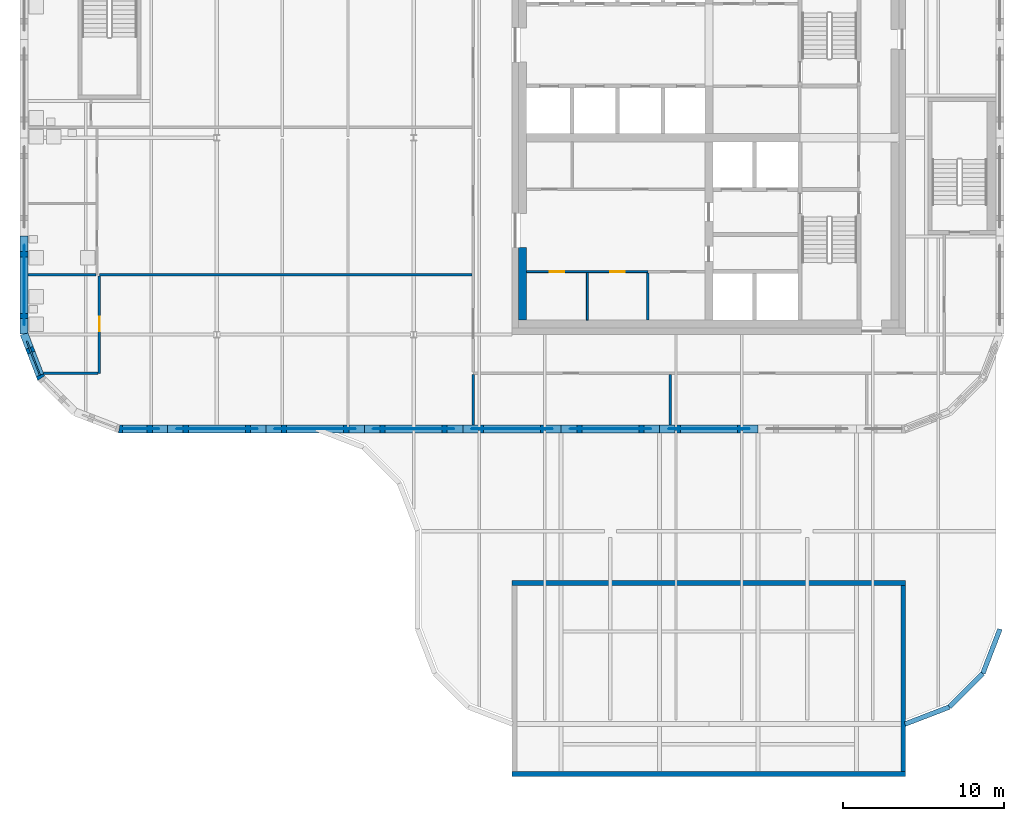
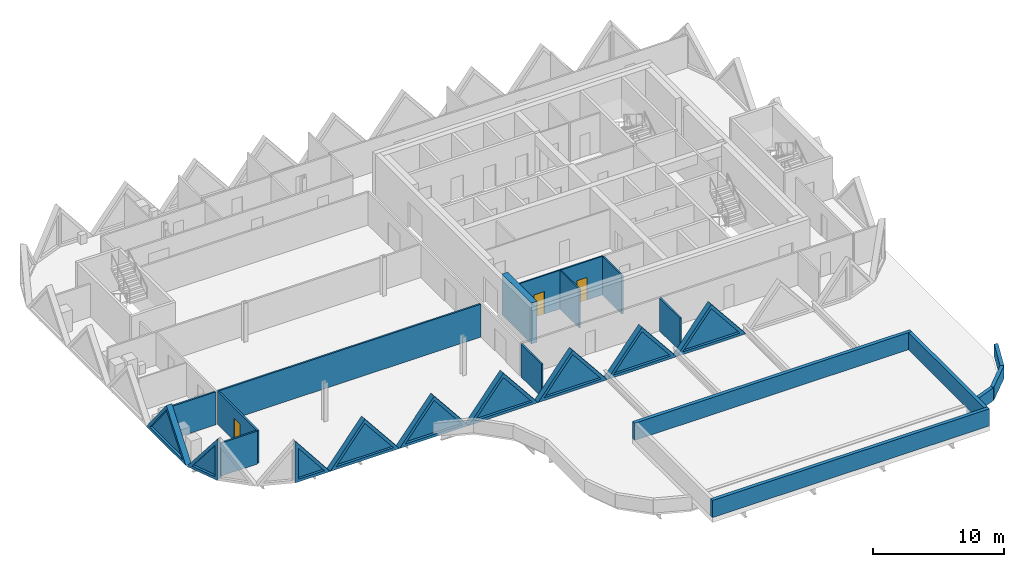
# One storey, part 4 of 12: 25 walls, 9 plates, 3 doors, 12 openings.
"""IFC4 building model written with IfcOpenShell, lengths in metres."""

from ifc_helpers import new_model, si_unit, direction, frame, frame_2d, origin, place, context, subcontext, project, spatial, polyline, rectangle, outline, extrude, faceted_brep, source, transform, mapped, material, layer, layer_set, type_object, element, fill, save


model = new_model("IFC4")

# Units and contexts
model_context = context("Model", 3, precision=1e-05, world=origin(), true_north=direction((0.0, 1.0)))
body_context = subcontext(model_context, "Body", "Model", "MODEL_VIEW")
ifc_project = project(units=[si_unit("LENGTHUNIT", "METRE"), si_unit("AREAUNIT", "SQUARE_METRE"), si_unit("VOLUMEUNIT", "CUBIC_METRE"), si_unit("PLANEANGLEUNIT", "RADIAN"), si_unit("MASSUNIT", "GRAM", prefix="KILO")], contexts=[model_context])

# Site, building, storey
site_placement = place(None, origin())
site = spatial("IfcSite", under=ifc_project, at=site_placement, CompositionType="ELEMENT")
building_placement = place(site_placement, origin())
building = spatial("IfcBuilding", under=site, at=building_placement, Name="Tessera Gate Towers", CompositionType="ELEMENT")
storey_placement = place(building_placement, frame((0.0, 0.0, 236.89990234375)))
storey = spatial("IfcBuildingStorey", under=building, at=storey_placement, Name="L59", CompositionType="ELEMENT", Elevation=236.89990234375)

# Wall, openings, doors
ifc_material_1 = material(Name="Gypsum board on steel studs", Category="steel")
ifc_layer_1 = layer(ifc_material_1, 0.1201171875)
ifc_layer_set_1 = layer_set([ifc_layer_1], Name="CORE PARTITION 120")
wall_type_1 = type_object("IfcWallType", Name="CORE PARTITION 120", PredefinedType="PARTITIONING", material=ifc_layer_set_1)
wall_1_placement = place(storey_placement, frame((38.925048828125, 28.300048828125, 0.0), z_axis=(0.0, 0.0, 1.0), x_axis=(-1.0, 0.0, 0.0)))
wall_1 = element("IfcWall", 1, at=wall_1_placement, inside=storey, type_object=wall_type_1, Name="L59 core partition", PredefinedType="PARTITIONING", context=body_context, shape_type="SweptSolid", body=[
    extrude(rectangle(XDim=7.525146484375, YDim=0.1201171875, at=frame_2d((3.7626953125, 0.0))), origin(), (0.0, 0.0, 1.0), 3.60009765625),
])
shared_shape_1 = source(origin(), body_context, "Body", "SweptSolid", [
    extrude(rectangle(XDim=0.89990234375, YDim=2.10009765625, at=frame_2d((0.449951171875, 1.050048828125))), frame((0.0, 0.070068359375, 0.0), z_axis=(0.0, -1.0, 0.0), x_axis=(1.0, 0.0, 0.0)), (0.0, 0.0, 1.0), 0.14013671875),
])
opening_1_placement = place(wall_1_placement, frame((5.1875, 0.0, 0.0)))
opening_1 = element("IfcOpeningElement", 2, at=opening_1_placement, cuts=wall_1, Name="Opening RD-T1-36-09", PredefinedType="OPENING", context=body_context, shape_type="MappedRepresentation", body=[
    mapped(shared_shape_1, transform((0.0, 0.0, 0.0), scale=1.0)),
])
opening_2_placement = place(wall_1_placement, frame((1.425048828125, 0.0, 0.0)))
opening_2 = element("IfcOpeningElement", 3, at=opening_2_placement, cuts=wall_1, Name="Opening RD-T1-36-10", PredefinedType="OPENING", context=body_context, shape_type="MappedRepresentation", body=[
    mapped(shared_shape_1, transform((0.0, 0.0, 0.0), scale=1.0)),
])
ifc_material_2 = material(Name="Hollow steel fire door", Category="steel")
door_type_1 = type_object("IfcDoorType", Name="CORE DOOR RD 900x2100", OperationType="NOTDEFINED", PredefinedType="DOOR", material=ifc_material_2)
shared_shape_2 = source(origin(), body_context, "Body", "SweptSolid", [
    extrude(rectangle(XDim=0.89990234375, YDim=2.10009765625, at=frame_2d((0.449951171875, 1.050048828125))), frame((0.0, 0.02490234375, 0.0), z_axis=(0.0, -1.0, 0.0), x_axis=(1.0, 0.0, 0.0)), (0.0, 0.0, 1.0), 0.050048828125),
])
door_1_placement = place(opening_1_placement, origin())
door_1 = element("IfcDoor", 4, at=door_1_placement, inside=storey, type_object=door_type_1, Name="Core room door", OperationType="SINGLE_SWING_RIGHT", OverallHeight=2.10009765625, OverallWidth=0.89990234375, PredefinedType="DOOR", context=body_context, shape_type="MappedRepresentation", body=[
    mapped(shared_shape_2, transform((0.0, 0.0, 0.0), scale=1.0)),
])
fill(opening_1, door_1)
door_2_placement = place(opening_2_placement, origin())
door_2 = element("IfcDoor", 5, at=door_2_placement, inside=storey, type_object=door_type_1, Name="Core room door", OperationType="SINGLE_SWING_LEFT", OverallHeight=2.10009765625, OverallWidth=0.89990234375, PredefinedType="DOOR", context=body_context, shape_type="MappedRepresentation", body=[
    mapped(shared_shape_2, transform((0.0, 0.0, 0.0), scale=1.0)),
])
fill(opening_2, door_2)

# Walls
wall_2_placement = place(storey_placement, frame((35.175048828125, 25.300048828125, 0.0), z_axis=(0.0, 0.0, 1.0), x_axis=(0.0, 1.0, 0.0)))
element("IfcWall", 6, at=wall_2_placement, inside=storey, type_object=wall_type_1, Name="L59 core partition", PredefinedType="PARTITIONING", context=body_context, shape_type="SweptSolid", body=[
    extrude(rectangle(XDim=2.93994140625, YDim=0.1201171875, at=frame_2d((1.469970703125, 0.0))), origin(), (0.0, 0.0, 1.0), 3.60009765625),
])
ifc_material_3 = material(Name="Concrete C40/50", Category="concrete")
ifc_layer_2 = layer(ifc_material_3, 0.5)
ifc_layer_set_2 = layer_set([ifc_layer_2], Name="CORE WALL THICKENING 500")
wall_type_2 = type_object("IfcWallType", Name="CORE WALL THICKENING 500", PredefinedType="SOLIDWALL", material=ifc_layer_set_2)
wall_3_placement = place(storey_placement, frame((31.14990234375, 25.300048828125, 0.0), z_axis=(0.0, 0.0, 1.0), x_axis=(0.0, 1.0, 0.0)))
element("IfcWall", 7, at=wall_3_placement, inside=storey, type_object=wall_type_2, Name="Core wall thickening W L59", PredefinedType="SOLIDWALL", context=body_context, shape_type="SweptSolid", body=[
    extrude(rectangle(XDim=4.5, YDim=0.5, at=frame_2d((2.25, 0.0))), origin(), (0.0, 0.0, 1.0), 3.800048828125),
])
ifc_material_4 = material(Name="Concrete C40/50", Category="concrete")
ifc_layer_3 = layer(ifc_material_4, 0.300048828125)
ifc_layer_set_3 = layer_set([ifc_layer_3], Name="POOL WALL 300 C40/50")
wall_type_3 = type_object("IfcWallType", Name="POOL WALL 300 C40/50", PredefinedType="SOLIDWALL", material=ifc_layer_set_3)
for number, where, z_axis, x_axis, name in (
    (8, (30.5, -2.85009765625, 1.13818359375), (0.0, 0.0, 1.0), (1.0, 0.0, 0.0), "T1-POOL-WALL-S"),
    (9, (30.5, 9.0, 1.13818359375), (0.0, 0.0, 1.0), (1.0, 0.0, 0.0), "T1-POOL-WALL-N"),
):
    element("IfcWall", number, at=place(storey_placement, frame(where, z_axis=z_axis, x_axis=x_axis)), inside=storey, type_object=wall_type_3, Name=name, PredefinedType="SOLIDWALL", context=body_context, shape_type="SweptSolid", body=[
        extrude(rectangle(XDim=24.39990234375, YDim=0.300048828125, at=frame_2d((12.199951171875, 0.0))), origin(), (0.0, 0.0, 1.0), 1.599853515625),
    ])
wall_4_placement = place(storey_placement, frame((54.75, -2.699951171875, 1.13818359375), z_axis=(0.0, 0.0, 1.0), x_axis=(0.0, 1.0, 0.0)))
element("IfcWall", 10, at=wall_4_placement, inside=storey, type_object=wall_type_3, Name="T1-POOL-WALL-E", PredefinedType="SOLIDWALL", context=body_context, shape_type="SweptSolid", body=[
    extrude(rectangle(XDim=11.550048828125, YDim=0.300048828125, at=frame_2d((5.77490234375, 0.0))), origin(), (0.0, 0.0, 1.0), 1.599853515625),
])
ifc_material_5 = material(Name="Gypsum board on steel studs", Category="steel")
ifc_layer_4 = layer(ifc_material_5, 0.14990234375)
ifc_layer_set_4 = layer_set([ifc_layer_4], Name="SERVICE ROOM WALL 150")
wall_type_4 = type_object("IfcWallType", Name="SERVICE ROOM WALL 150", PredefinedType="PARTITIONING", material=ifc_layer_set_4)
wall_5_placement = place(storey_placement, frame((38.925048828125, 25.300048828125, 0.0), z_axis=(0.0, 0.0, 1.0), x_axis=(0.0, 1.0, 0.0)))
element("IfcWall", 11, at=wall_5_placement, inside=storey, type_object=wall_type_4, Name="L59 service room wall", PredefinedType="PARTITIONING", context=body_context, shape_type="SweptSolid", body=[
    extrude(rectangle(XDim=2.925048828125, YDim=0.14990234375, at=frame_2d((1.46240234375, 0.0))), origin(), (0.0, 0.0, 1.0), 3.60009765625),
])
ifc_material_6 = material(Name="Gypsum board on steel studs, mineral wool", Category="steel")
ifc_layer_5 = layer(ifc_material_6, 0.14990234375)
ifc_layer_set_5 = layer_set([ifc_layer_5], Name="TENANCY WALL 150")
wall_type_5 = type_object("IfcWallType", Name="TENANCY WALL 150", PredefinedType="PARTITIONING", material=ifc_layer_set_5)
for number, where, z_axis, x_axis, name in (
    (12, (28.10009765625, 18.800048828125, 0.0), (0.0, 0.0, 1.0), (0.0, 1.0, 0.0), "T1-L59-PW-001"),
    (13, (40.300048828125, 18.800048828125, 0.0), (0.0, 0.0, 1.0), (0.0, 1.0, 0.0), "T1-L59-PW-002"),
):
    element("IfcWall", number, at=place(storey_placement, frame(where, z_axis=z_axis, x_axis=x_axis)), inside=storey, type_object=wall_type_5, Name=name, PredefinedType="PARTITIONING", context=body_context, shape_type="SweptSolid", body=[
        extrude(rectangle(XDim=3.1240234375, YDim=0.14990234375, at=frame_2d((1.56201171875, 0.0))), origin(), (0.0, 0.0, 1.0), 3.067138671875),
    ])
wall_6_placement = place(storey_placement, frame((1.461669921875, 22.0, 0.0), z_axis=(0.0, 0.0, 1.0), x_axis=(1.0, 0.0, 0.0)))
element("IfcWall", 14, at=wall_6_placement, inside=storey, type_object=wall_type_5, Name="T1-L59-PW-004", PredefinedType="PARTITIONING", context=body_context, shape_type="SweptSolid", body=[
    extrude(rectangle(XDim=3.387451171875, YDim=0.14990234375, at=frame_2d((1.69384765625, 0.0))), origin(), (0.0, 0.0, 1.0), 3.067138671875),
])

# Wall, opening, door
wall_7_placement = place(storey_placement, frame((4.925048828125, 22.0, 0.0), z_axis=(0.0, 0.0, 1.0), x_axis=(0.0, 1.0, 0.0)))
wall_7 = element("IfcWall", 15, at=wall_7_placement, inside=storey, type_object=wall_type_5, Name="T1-L59-PW-005", PredefinedType="PARTITIONING", context=body_context, shape_type="SweptSolid", body=[
    extrude(rectangle(XDim=6.02392578125, YDim=0.14990234375, at=frame_2d((3.011962890625, 0.0))), origin(), (0.0, 0.0, 1.0), 3.067138671875),
])
shared_shape_3 = source(origin(), body_context, "Body", "SweptSolid", [
    extrude(rectangle(XDim=0.89990234375, YDim=2.10009765625, at=frame_2d((0.449951171875, 1.050048828125))), frame((0.0, 0.0849609375, 0.0), z_axis=(0.0, -1.0, 0.0), x_axis=(1.0, 0.0, 0.0)), (0.0, 0.0, 1.0), 0.169921875),
])
opening_3_placement = place(wall_7_placement, frame((2.60009765625, 0.0, 0.0)))
opening_3 = element("IfcOpeningElement", 16, at=opening_3_placement, cuts=wall_7, Name="Opening D190-A36-08", PredefinedType="OPENING", context=body_context, shape_type="MappedRepresentation", body=[
    mapped(shared_shape_3, transform((0.0, 0.0, 0.0), scale=1.0)),
])
ifc_material_7 = material(Name="Timber door leaf in steel frame", Category="steel")
door_type_2 = type_object("IfcDoorType", Name="INTERNAL DOOR 900 NOT RATED", OperationType="NOTDEFINED", PredefinedType="DOOR", material=ifc_material_7)
door_3_placement = place(opening_3_placement, origin())
door_3 = element("IfcDoor", 17, at=door_3_placement, inside=storey, type_object=door_type_2, Name="T1-L59-PD-017", OperationType="SINGLE_SWING_LEFT", OverallHeight=2.10009765625, OverallWidth=0.89990234375, PredefinedType="DOOR", context=body_context, shape_type="MappedRepresentation", body=[
    mapped(shared_shape_2, transform((0.0, 0.0, 0.0), scale=1.0)),
])
fill(opening_3, door_3)

# Walls
wall_8_placement = place(storey_placement, frame((0.5, 28.10009765625, 0.0), z_axis=(0.0, 0.0, 1.0), x_axis=(1.0, 0.0, 0.0)))
element("IfcWall", 18, at=wall_8_placement, inside=storey, type_object=wall_type_5, Name="T1-L59-PW-010", PredefinedType="PARTITIONING", context=body_context, shape_type="SweptSolid", body=[
    extrude(rectangle(XDim=4.198974609375, YDim=0.14990234375, at=frame_2d((2.099609375, 0.0))), origin(), (0.0, 0.0, 1.0), 3.067138671875),
])
wall_9_placement = place(storey_placement, frame((4.925048828125, 28.10009765625, 0.0), z_axis=(0.0, 0.0, 1.0), x_axis=(1.0, 0.0, 0.0)))
element("IfcWall", 19, at=wall_9_placement, inside=storey, type_object=wall_type_5, Name="T1-L59-PW-012", PredefinedType="PARTITIONING", context=body_context, shape_type="SweptSolid", body=[
    extrude(rectangle(XDim=23.098876953125, YDim=0.14990234375, at=frame_2d((11.54931640625, 0.0))), origin(), (0.0, 0.0, 1.0), 3.067138671875),
])

# Wall, opening, plate
ifc_material_8 = material(Name="Precast concrete C60/75 white", Category="concrete")
ifc_layer_6 = layer(ifc_material_8, 0.5)
ifc_layer_set_6 = layer_set([ifc_layer_6], Name="TS3 corner tessera")
wall_type_6 = type_object("IfcWallType", Name="TS3 corner tessera", PredefinedType="SOLIDWALL", material=ifc_layer_set_6)
shared_shape_4 = source(origin(), body_context, "Body", "Brep", [
    faceted_brep([(3.050048828125, -0.25, 0.0), (0.046630859375, -0.25, 3.800048828125), (0.0, -0.25, 3.739990234375), (0.0, -0.25, 0.0), (0.09326171875, 0.25, 3.7412109375), (3.050048828125, 0.25, 0.0), (0.09326171875, 0.25, 0.0), (0.046630859375, 0.0, 3.800048828125)], [[[0, 1, 2, 3]], [[4, 5, 6]], [[5, 4, 7, 1, 0]], [[2, 1, 7]], [[6, 5, 0, 3]], [[6, 3, 2, 7, 4]]]),
])
wall_10_placement = place(storey_placement, frame((6.099853515625, 18.550048828125, 0.0), z_axis=(0.0, 0.0, 1.0), x_axis=(1.0, 0.0, 0.0)))
wall_10 = element("IfcWall", 20, at=wall_10_placement, inside=storey, type_object=wall_type_6, Name="Precast corner tessera T1 TS3-1369", PredefinedType="SOLIDWALL", context=body_context, shape_type="MappedRepresentation", body=[
    mapped(shared_shape_4, transform((0.0, 0.0, 0.0), scale=1.0)),
])
shared_shape_5 = source(origin(), body_context, "Body", "SweptSolid", [
    extrude(outline(polyline([(2.533935546875, 0.25), (0.24658203125, 3.143798828125), (0.24658203125, 0.25), (2.533935546875, 0.25)])), frame((0.0, 0.260009765625, 0.0), z_axis=(0.0, -1.0, 0.0), x_axis=(1.0, 0.0, 0.0)), (0.0, 0.0, 1.0), 0.52001953125),
])
opening_4_placement = place(wall_10_placement, origin())
opening_4 = element("IfcOpeningElement", 21, at=opening_4_placement, cuts=wall_10, Name="Opening T1-PL1-0570", PredefinedType="OPENING", context=body_context, shape_type="MappedRepresentation", body=[
    mapped(shared_shape_5, transform((0.0, 0.0, 0.0), scale=1.0)),
])
ifc_material_9 = material(Name="Low-e laminated glass", Category="glass")
ifc_layer_7 = layer(ifc_material_9, 0.06005859375)
ifc_layer_set_7 = layer_set([ifc_layer_7], Name="PL1 triangular pane")
plate_type = type_object("IfcPlateType", Name="PL1 triangular pane", PredefinedType="SHEET", material=ifc_layer_set_7)
shared_shape_6 = source(origin(), body_context, "Body", "SweptSolid", [
    extrude(outline(polyline([(2.533935546875, 0.25), (0.24658203125, 3.143798828125), (0.24658203125, 0.25), (2.533935546875, 0.25)])), frame((0.0, 0.030029296875, 0.0), z_axis=(0.0, -1.0, 0.0), x_axis=(1.0, 0.0, 0.0)), (0.0, 0.0, 1.0), 0.06005859375),
])
plate_1_placement = place(opening_4_placement, origin())
plate_1 = element("IfcPlate", 22, at=plate_1_placement, inside=storey, type_object=plate_type, Name="Glass pane T1 PL1-0570", PredefinedType="SHEET", context=body_context, shape_type="MappedRepresentation", body=[
    mapped(shared_shape_6, transform((0.0, 0.0, 0.0), scale=1.0)),
])
fill(opening_4, plate_1)

ifc_material_10 = material(Name="Precast concrete C60/75 white", Category="concrete")
ifc_layer_8 = layer(ifc_material_10, 0.5)
ifc_layer_set_8 = layer_set([ifc_layer_8], Name="TS2 half tessera")
wall_type_7 = type_object("IfcWallType", Name="TS2 half tessera", PredefinedType="SOLIDWALL", material=ifc_layer_set_8)
shared_shape_7 = source(origin(), body_context, "Body", "Brep", [
    faceted_brep([(6.099853515625, -0.25, 0.000244140625), (3.050048828125, -0.25, 3.800048828125), (0.0, -0.25, 0.0), (6.099853515625, -0.25, 0.0), (0.0, 0.25, 0.0), (3.050048828125, 0.25, 3.800048828125), (6.099853515625, 0.25, 0.000244140625), (6.099853515625, 0.25, 0.0)], [[[0, 1, 2, 3]], [[4, 5, 6, 7]], [[6, 5, 1, 0]], [[5, 4, 2, 1]], [[4, 7, 3, 2]], [[3, 7, 6, 0]]]),
])
wall_11_placement = place(storey_placement, frame((21.35009765625, 18.550048828125, 0.0), z_axis=(0.0, 0.0, 1.0), x_axis=(1.0, 0.0, 0.0)))
wall_11 = element("IfcWall", 23, at=wall_11_placement, inside=storey, type_object=wall_type_7, Name="Precast half tessera T1 TS2-0278", PredefinedType="SOLIDWALL", context=body_context, shape_type="MappedRepresentation", body=[
    mapped(shared_shape_7, transform((0.0, 0.0, 0.0), scale=1.0)),
])
shared_shape_8 = source(origin(), body_context, "Body", "SweptSolid", [
    extrude(outline(polyline([(5.578857421875, 0.25), (3.050048828125, 3.400634765625), (0.521240234375, 0.25), (5.578857421875, 0.25)])), frame((0.0, 0.260009765625, 0.0), z_axis=(0.0, -1.0, 0.0), x_axis=(1.0, 0.0, 0.0)), (0.0, 0.0, 1.0), 0.52001953125),
])
opening_5_placement = place(wall_11_placement, origin())
opening_5 = element("IfcOpeningElement", 24, at=opening_5_placement, cuts=wall_11, Name="Opening T1-PL1-0574", PredefinedType="OPENING", context=body_context, shape_type="MappedRepresentation", body=[
    mapped(shared_shape_8, transform((0.0, 0.0, 0.0), scale=1.0)),
])
shared_shape_9 = source(origin(), body_context, "Body", "SweptSolid", [
    extrude(outline(polyline([(5.578857421875, 0.25), (3.050048828125, 3.400634765625), (0.521240234375, 0.25), (5.578857421875, 0.25)])), frame((0.0, 0.030029296875, 0.0), z_axis=(0.0, -1.0, 0.0), x_axis=(1.0, 0.0, 0.0)), (0.0, 0.0, 1.0), 0.06005859375),
])
plate_2_placement = place(opening_5_placement, origin())
plate_2 = element("IfcPlate", 25, at=plate_2_placement, inside=storey, type_object=plate_type, Name="Glass pane T1 PL1-0574", PredefinedType="SHEET", context=body_context, shape_type="MappedRepresentation", body=[
    mapped(shared_shape_9, transform((0.0, 0.0, 0.0), scale=1.0)),
])
fill(opening_5, plate_2)

wall_12_placement = place(storey_placement, frame((33.550048828125, 18.550048828125, 0.0), z_axis=(0.0, 0.0, 1.0), x_axis=(1.0, 0.0, 0.0)))
wall_12 = element("IfcWall", 26, at=wall_12_placement, inside=storey, type_object=wall_type_7, Name="Precast half tessera T1 TS2-0280", PredefinedType="SOLIDWALL", context=body_context, shape_type="MappedRepresentation", body=[
    mapped(shared_shape_7, transform((0.0, 0.0, 0.0), scale=1.0)),
])
opening_6_placement = place(wall_12_placement, origin())
opening_6 = element("IfcOpeningElement", 27, at=opening_6_placement, cuts=wall_12, Name="Opening T1-PL1-0576", PredefinedType="OPENING", context=body_context, shape_type="MappedRepresentation", body=[
    mapped(shared_shape_8, transform((0.0, 0.0, 0.0), scale=1.0)),
])
plate_3_placement = place(opening_6_placement, origin())
plate_3 = element("IfcPlate", 28, at=plate_3_placement, inside=storey, type_object=plate_type, Name="Glass pane T1 PL1-0576", PredefinedType="SHEET", context=body_context, shape_type="MappedRepresentation", body=[
    mapped(shared_shape_9, transform((0.0, 0.0, 0.0), scale=1.0)),
])
fill(opening_6, plate_3)

shared_shape_10 = source(origin(), body_context, "Body", "SweptSolid", [
    extrude(outline(polyline([(6.10009765625, 0.0), (3.050048828125, 3.800048828125), (0.0, 0.0), (6.10009765625, 0.0)])), frame((0.0, 0.25, 0.0), z_axis=(0.0, -1.0, 0.0), x_axis=(1.0, 0.0, 0.0)), (0.0, 0.0, 1.0), 0.5),
])
wall_13_placement = place(storey_placement, frame((9.14990234375, 18.550048828125, 0.0), z_axis=(0.0, 0.0, 1.0), x_axis=(1.0, 0.0, 0.0)))
wall_13 = element("IfcWall", 29, at=wall_13_placement, inside=storey, type_object=wall_type_7, Name="Precast half tessera T1 TS2-0276", PredefinedType="SOLIDWALL", context=body_context, shape_type="MappedRepresentation", body=[
    mapped(shared_shape_10, transform((0.0, 0.0, 0.0), scale=1.0)),
])
opening_7_placement = place(wall_13_placement, origin())
opening_7 = element("IfcOpeningElement", 30, at=opening_7_placement, cuts=wall_13, Name="Opening T1-PL1-0572", PredefinedType="OPENING", context=body_context, shape_type="MappedRepresentation", body=[
    mapped(shared_shape_8, transform((0.0, 0.0, 0.0), scale=1.0)),
])
plate_4_placement = place(opening_7_placement, origin())
plate_4 = element("IfcPlate", 31, at=plate_4_placement, inside=storey, type_object=plate_type, Name="Glass pane T1 PL1-0572", PredefinedType="SHEET", context=body_context, shape_type="MappedRepresentation", body=[
    mapped(shared_shape_9, transform((0.0, 0.0, 0.0), scale=1.0)),
])
fill(opening_7, plate_4)

wall_14_placement = place(storey_placement, frame((15.25, 18.550048828125, 0.0), z_axis=(0.0, 0.0, 1.0), x_axis=(1.0, 0.0, 0.0)))
wall_14 = element("IfcWall", 32, at=wall_14_placement, inside=storey, type_object=wall_type_7, Name="Precast half tessera T1 TS2-0277", PredefinedType="SOLIDWALL", context=body_context, shape_type="MappedRepresentation", body=[
    mapped(shared_shape_10, transform((0.0, 0.0, 0.0), scale=1.0)),
])
opening_8_placement = place(wall_14_placement, origin())
opening_8 = element("IfcOpeningElement", 33, at=opening_8_placement, cuts=wall_14, Name="Opening T1-PL1-0573", PredefinedType="OPENING", context=body_context, shape_type="MappedRepresentation", body=[
    mapped(shared_shape_8, transform((0.0, 0.0, 0.0), scale=1.0)),
])
plate_5_placement = place(opening_8_placement, origin())
plate_5 = element("IfcPlate", 34, at=plate_5_placement, inside=storey, type_object=plate_type, Name="Glass pane T1 PL1-0573", PredefinedType="SHEET", context=body_context, shape_type="MappedRepresentation", body=[
    mapped(shared_shape_9, transform((0.0, 0.0, 0.0), scale=1.0)),
])
fill(opening_8, plate_5)

wall_15_placement = place(storey_placement, frame((27.449951171875, 18.550048828125, 0.0), z_axis=(0.0, 0.0, 1.0), x_axis=(1.0, 0.0, 0.0)))
wall_15 = element("IfcWall", 35, at=wall_15_placement, inside=storey, type_object=wall_type_7, Name="Precast half tessera T1 TS2-0279", PredefinedType="SOLIDWALL", context=body_context, shape_type="MappedRepresentation", body=[
    mapped(shared_shape_10, transform((0.0, 0.0, 0.0), scale=1.0)),
])
opening_9_placement = place(wall_15_placement, origin())
opening_9 = element("IfcOpeningElement", 36, at=opening_9_placement, cuts=wall_15, Name="Opening T1-PL1-0575", PredefinedType="OPENING", context=body_context, shape_type="MappedRepresentation", body=[
    mapped(shared_shape_8, transform((0.0, 0.0, 0.0), scale=1.0)),
])
plate_6_placement = place(opening_9_placement, origin())
plate_6 = element("IfcPlate", 37, at=plate_6_placement, inside=storey, type_object=plate_type, Name="Glass pane T1 PL1-0575", PredefinedType="SHEET", context=body_context, shape_type="MappedRepresentation", body=[
    mapped(shared_shape_9, transform((0.0, 0.0, 0.0), scale=1.0)),
])
fill(opening_9, plate_6)

wall_16_placement = place(storey_placement, frame((39.64990234375, 18.550048828125, 0.0), z_axis=(0.0, 0.0, 1.0), x_axis=(1.0, 0.0, 0.0)))
wall_16 = element("IfcWall", 38, at=wall_16_placement, inside=storey, type_object=wall_type_7, Name="Precast half tessera T1 TS2-0281", PredefinedType="SOLIDWALL", context=body_context, shape_type="MappedRepresentation", body=[
    mapped(shared_shape_10, transform((0.0, 0.0, 0.0), scale=1.0)),
])
opening_10_placement = place(wall_16_placement, origin())
opening_10 = element("IfcOpeningElement", 39, at=opening_10_placement, cuts=wall_16, Name="Opening T1-PL1-0577", PredefinedType="OPENING", context=body_context, shape_type="MappedRepresentation", body=[
    mapped(shared_shape_8, transform((0.0, 0.0, 0.0), scale=1.0)),
])
plate_7_placement = place(opening_10_placement, origin())
plate_7 = element("IfcPlate", 40, at=plate_7_placement, inside=storey, type_object=plate_type, Name="Glass pane T1 PL1-0577", PredefinedType="SHEET", context=body_context, shape_type="MappedRepresentation", body=[
    mapped(shared_shape_9, transform((0.0, 0.0, 0.0), scale=1.0)),
])
fill(opening_10, plate_7)

shared_shape_11 = source(origin(), body_context, "Body", "Brep", [
    faceted_brep([(6.053466796875, -0.25, 0.0), (3.050048828125, -0.25, 3.800048828125), (0.0, -0.25, 0.0), (0.0, 0.25, 0.0), (3.050048828125, 0.25, 3.800048828125), (6.0068359375, 0.25, 0.058837890625), (6.0068359375, 0.25, 0.0), (6.053466796875, 0.0, 0.0)], [[[0, 1, 2]], [[3, 4, 5, 6]], [[5, 4, 1, 0, 7]], [[4, 3, 2, 1]], [[3, 6, 7, 0, 2]], [[7, 6, 5]]]),
])
wall_17_placement = place(storey_placement, frame((0.25, 30.5, 0.0), z_axis=(0.0, 0.0, 1.0), x_axis=(0.0, -1.0, 0.0)))
wall_17 = element("IfcWall", 41, at=wall_17_placement, inside=storey, type_object=wall_type_7, Name="Precast half tessera T1 TS2-0297", PredefinedType="SOLIDWALL", context=body_context, shape_type="MappedRepresentation", body=[
    mapped(shared_shape_11, transform((0.0, 0.0, 0.0), scale=1.0)),
])
shared_shape_12 = source(origin(), body_context, "Body", "SweptSolid", [
    extrude(outline(polyline([(5.537109375, 0.25), (3.048583984375, 3.39892578125), (0.521240234375, 0.25), (5.537109375, 0.25)])), frame((0.0, 0.260009765625, 0.0), z_axis=(0.0, -1.0, 0.0), x_axis=(1.0, 0.0, 0.0)), (0.0, 0.0, 1.0), 0.52001953125),
])
opening_11_placement = place(wall_17_placement, origin())
opening_11 = element("IfcOpeningElement", 42, at=opening_11_placement, cuts=wall_17, Name="Opening T1-PL1-0605", PredefinedType="OPENING", context=body_context, shape_type="MappedRepresentation", body=[
    mapped(shared_shape_12, transform((0.0, 0.0, 0.0), scale=1.0)),
])
shared_shape_13 = source(origin(), body_context, "Body", "SweptSolid", [
    extrude(outline(polyline([(5.537109375, 0.25), (3.048583984375, 3.39892578125), (0.521240234375, 0.25), (5.537109375, 0.25)])), frame((0.0, 0.030029296875, 0.0), z_axis=(0.0, -1.0, 0.0), x_axis=(1.0, 0.0, 0.0)), (0.0, 0.0, 1.0), 0.06005859375),
])
plate_8_placement = place(opening_11_placement, origin())
plate_8 = element("IfcPlate", 43, at=plate_8_placement, inside=storey, type_object=plate_type, Name="Glass pane T1 PL1-0605", PredefinedType="SHEET", context=body_context, shape_type="MappedRepresentation", body=[
    mapped(shared_shape_13, transform((0.0, 0.0, 0.0), scale=1.0)),
])
fill(opening_11, plate_8)

shared_shape_14 = source(origin(), body_context, "Body", "Brep", [
    faceted_brep([(3.00341796875, -0.25, 3.731689453125), (2.950439453125, -0.25, 3.800048828125), (0.0, -0.25, 0.0), (3.00341796875, -0.25, 0.0), (0.046630859375, 0.25, 0.06005859375), (2.897705078125, 0.25, 3.73193359375), (2.897705078125, 0.25, 0.0), (0.046630859375, 0.25, 0.0), (2.950439453125, 0.00048828125, 3.800048828125), (0.0, 0.0, 0.0)], [[[0, 1, 2, 3]], [[4, 5, 6, 7]], [[8, 1, 0]], [[5, 4, 9, 2, 1, 8]], [[7, 6, 3, 2, 9]], [[7, 9, 4]], [[3, 6, 5, 8, 0]]]),
])
wall_18_placement = place(storey_placement, frame((0.25, 24.446533203125, 0.0), z_axis=(0.0, 0.0, 1.0), x_axis=(0.35992665181, -0.932980602862, 0.0)))
wall_18 = element("IfcWall", 44, at=wall_18_placement, inside=storey, type_object=wall_type_6, Name="Precast corner tessera T1 TS3-1383", PredefinedType="SOLIDWALL", context=body_context, shape_type="MappedRepresentation", body=[
    mapped(shared_shape_14, transform((0.0, 0.0, 0.0), scale=1.0)),
])
shared_shape_15 = source(origin(), body_context, "Body", "SweptSolid", [
    extrude(outline(polyline([(2.75048828125, 3.134765625), (0.5107421875, 0.25), (2.75048828125, 0.25), (2.75048828125, 3.134765625)])), frame((0.0, 0.260009765625, 0.0), z_axis=(0.0, -1.0, 0.0), x_axis=(1.0, 0.0, 0.0)), (0.0, 0.0, 1.0), 0.52001953125),
])
opening_12_placement = place(wall_18_placement, origin())
opening_12 = element("IfcOpeningElement", 45, at=opening_12_placement, cuts=wall_18, Name="Opening T1-PL1-0606", PredefinedType="OPENING", context=body_context, shape_type="MappedRepresentation", body=[
    mapped(shared_shape_15, transform((0.0, 0.0, 0.0), scale=1.0)),
])
shared_shape_16 = source(origin(), body_context, "Body", "SweptSolid", [
    extrude(outline(polyline([(2.75048828125, 3.134765625), (0.5107421875, 0.25), (2.75048828125, 0.25), (2.75048828125, 3.134765625)])), frame((0.0, 0.030029296875, 0.0), z_axis=(0.0, -1.0, 0.0), x_axis=(1.0, 0.0, 0.0)), (0.0, 0.0, 1.0), 0.06005859375),
])
plate_9_placement = place(opening_12_placement, origin())
plate_9 = element("IfcPlate", 46, at=plate_9_placement, inside=storey, type_object=plate_type, Name="Glass pane T1 PL1-0606", PredefinedType="SHEET", context=body_context, shape_type="MappedRepresentation", body=[
    mapped(shared_shape_16, transform((0.0, 0.0, 0.0), scale=1.0)),
])
fill(opening_12, plate_9)

# Walls
ifc_material_11 = material(Name="Precast concrete C60/75 white", Category="concrete")
ifc_layer_9 = layer(ifc_material_11, 0.300048828125)
ifc_layer_set_9 = layer_set([ifc_layer_9], Name="PR1 parapet wall")
wall_type_8 = type_object("IfcWallType", Name="PR1 parapet wall", PredefinedType="PARAPET", material=ifc_layer_set_9)
shared_shape_17 = source(origin(), body_context, "Body", "Brep", [
    faceted_brep([(0.0, -0.14990234375, 0.0), (2.950439453125, -0.14990234375, 0.0), (2.950439453125, -0.14990234375, 1.2001953125), (0.0, -0.14990234375, 1.2001953125), (0.02783203125, 0.14990234375, 1.2001953125), (2.918701171875, 0.14990234375, 1.2001953125), (2.918701171875, 0.14990234375, 0.0), (0.02783203125, 0.14990234375, 0.0), (2.950439453125, 0.00048828125, 0.0), (0.0, 0.0, 0.0), (2.950439453125, 0.00048828125, 1.2001953125), (0.0, 0.0, 1.2001953125)], [[[0, 1, 2, 3]], [[4, 5, 6, 7]], [[7, 6, 8, 1, 0, 9]], [[10, 2, 1, 8]], [[5, 4, 11, 3, 2, 10]], [[9, 0, 3, 11]], [[7, 9, 11, 4]], [[8, 6, 5, 10]]]),
])
wall_19_placement = place(storey_placement, frame((54.853515625, 0.25, 0.0), z_axis=(0.0, 0.0, 1.0), x_axis=(0.932999673775, 0.359877213415, 0.0)))
element("IfcWall", 47, at=wall_19_placement, inside=storey, type_object=wall_type_8, Name="Parapet T1 PR1-0003", PredefinedType="PARAPET", context=body_context, shape_type="MappedRepresentation", body=[
    mapped(shared_shape_17, transform((0.0, 0.0, 0.0), scale=1.0)),
])
shared_shape_18 = source(origin(), body_context, "Body", "Brep", [
    faceted_brep([(0.0, -0.14990234375, 0.0), (2.944091796875, -0.14990234375, 0.0), (2.944091796875, -0.14990234375, 1.2001953125), (0.0, -0.14990234375, 1.2001953125), (0.03173828125, 0.14990234375, 1.2001953125), (2.912353515625, 0.14990234375, 1.2001953125), (2.912353515625, 0.14990234375, 0.0), (0.03173828125, 0.14990234375, 0.0), (2.944091796875, 0.000244140625, 0.0), (0.0, 0.0, 0.0), (2.944091796875, 0.000244140625, 1.2001953125), (0.0, 0.0, 1.2001953125)], [[[0, 1, 2, 3]], [[4, 5, 6, 7]], [[7, 6, 8, 1, 0, 9]], [[10, 2, 1, 8]], [[5, 4, 11, 3, 2, 10]], [[9, 0, 3, 11]], [[7, 9, 11, 4]], [[8, 6, 5, 10]]]),
])
wall_20_placement = place(storey_placement, frame((57.606201171875, 1.31201171875, 0.0), z_axis=(0.0, 0.0, 1.0), x_axis=(0.707106781187, 0.707106781187, 0.0)))
element("IfcWall", 48, at=wall_20_placement, inside=storey, type_object=wall_type_8, Name="Parapet T1 PR1-0004", PredefinedType="PARAPET", context=body_context, shape_type="MappedRepresentation", body=[
    mapped(shared_shape_18, transform((0.0, 0.0, 0.0), scale=1.0)),
])
shared_shape_19 = source(origin(), body_context, "Body", "Brep", [
    faceted_brep([(0.0, -0.14990234375, 0.0), (2.950439453125, -0.14990234375, 0.0), (2.950439453125, -0.14990234375, 1.2001953125), (0.0, -0.14990234375, 1.2001953125), (0.03173828125, 0.14990234375, 1.2001953125), (2.922607421875, 0.14990234375, 1.2001953125), (2.922607421875, 0.14990234375, 0.0), (0.03173828125, 0.14990234375, 0.0), (2.950439453125, 0.00048828125, 0.0), (0.0, 0.0, 0.0), (2.950439453125, 0.00048828125, 1.2001953125), (0.0, 0.0, 1.2001953125)], [[[0, 1, 2, 3]], [[4, 5, 6, 7]], [[7, 6, 8, 1, 0, 9]], [[10, 2, 1, 8]], [[5, 4, 11, 3, 2, 10]], [[9, 0, 3, 11]], [[7, 9, 11, 4]], [[8, 6, 5, 10]]]),
])
wall_21_placement = place(storey_placement, frame((59.68798828125, 3.393798828125, 0.0), z_axis=(0.0, 0.0, 1.0), x_axis=(0.359949242603, 0.932971887438, 0.0)))
element("IfcWall", 49, at=wall_21_placement, inside=storey, type_object=wall_type_8, Name="Parapet T1 PR1-0005", PredefinedType="PARAPET", context=body_context, shape_type="MappedRepresentation", body=[
    mapped(shared_shape_19, transform((0.0, 0.0, 0.0), scale=1.0)),
])

save(model, "model.ifc")
